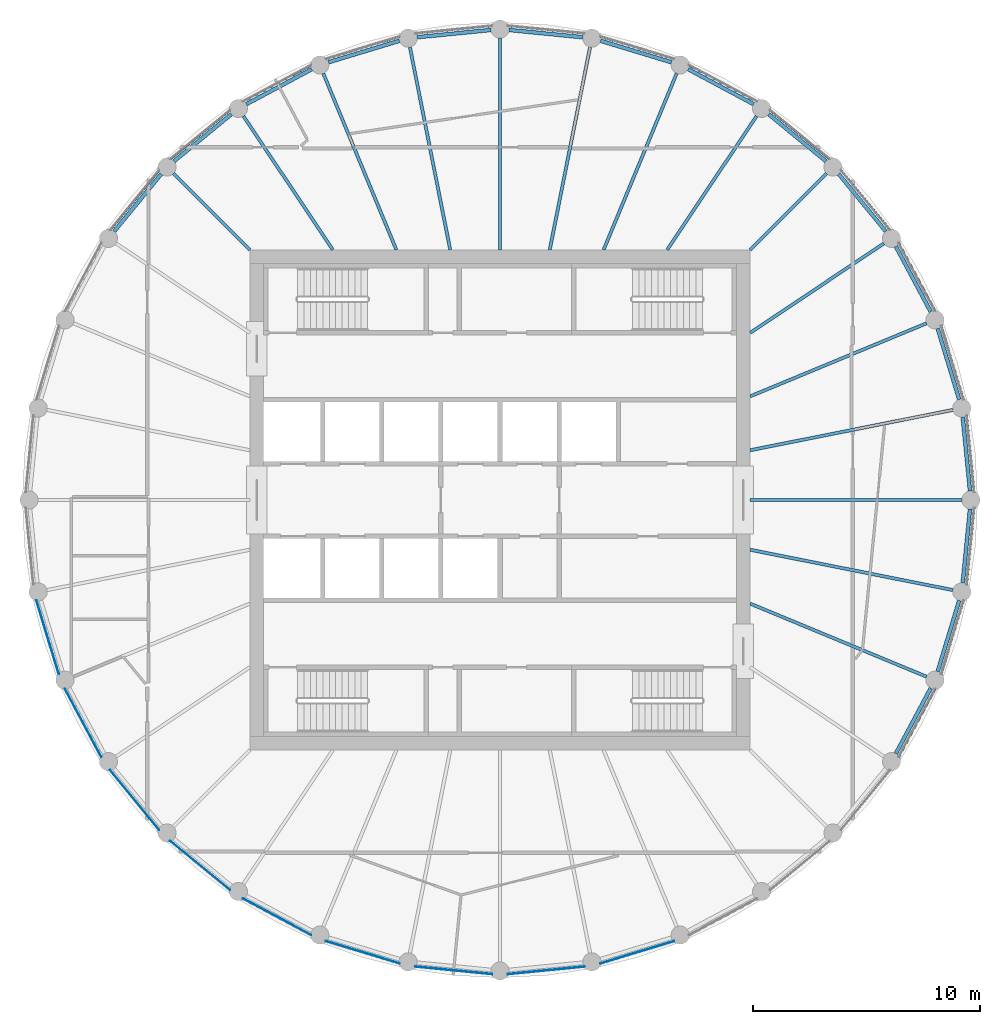
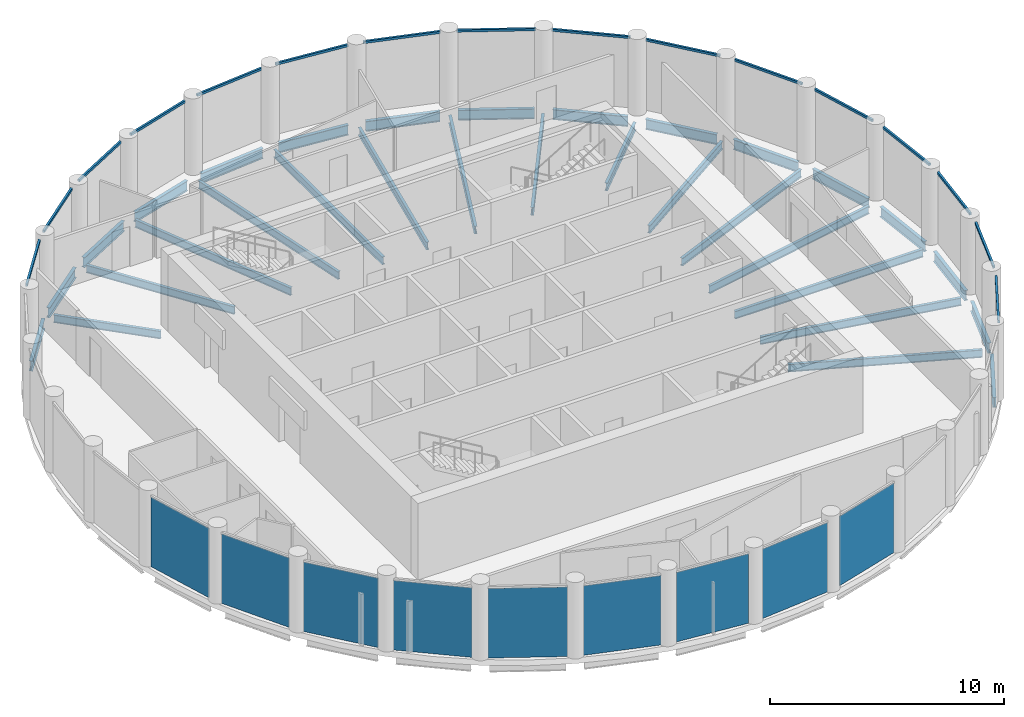
# One storey, part 2 of 7: 31 beams, 16 members, 9 plates, 25 elements without a shape of their own.
"""IFC4 building model written with IfcOpenShell, lengths in metres."""

from ifc_helpers import new_model, si_unit, direction, frame, origin, origin_2d, place, context, subcontext, project, spatial, rectangle, i_section, extrude, material, layer, layer_set, material_profile, profile_set, type_object, element, aggregate, save


model = new_model("IFC4")

# Units and contexts
model_context = context("Model", 3, precision=1e-05, world=origin(), true_north=direction((0.0, 1.0)))
body_context = subcontext(model_context, "Body", "Model", "MODEL_VIEW")
ifc_project = project(units=[si_unit("LENGTHUNIT", "METRE"), si_unit("AREAUNIT", "SQUARE_METRE"), si_unit("VOLUMEUNIT", "CUBIC_METRE"), si_unit("PLANEANGLEUNIT", "RADIAN"), si_unit("MASSUNIT", "GRAM", prefix="KILO")], contexts=[model_context])

# Site, building, storey
site_placement = place(None, origin())
site = spatial("IfcSite", under=ifc_project, at=site_placement, CompositionType="ELEMENT")
building_placement = place(site_placement, origin())
building = spatial("IfcBuilding", under=site, at=building_placement, Name="Corvane Civic Tower", CompositionType="ELEMENT")
storey_placement = place(building_placement, frame((0.0, 0.0, 348.5)))
storey = spatial("IfcBuildingStorey", under=building, at=storey_placement, Name="L83", CompositionType="ELEMENT", Elevation=348.5)

# Beams
ifc_material_1 = material(Name="Steel ASTM A992 Gr 50", Category="steel")
ifc_material_profile_1 = material_profile(ifc_material_1, i_section(OverallWidth=0.165771484375, OverallDepth=0.5283203125, WebThickness=0.009765625, FlangeThickness=0.013671875, at=origin_2d()), Name="W21X50")
ifc_profile_set_1 = profile_set([ifc_material_profile_1], Name="Steel ASTM A992 Gr 50")
beam_type_1 = type_object("IfcBeamType", Name="EDGE BEAM W21X50", PredefinedType="BEAM", material=ifc_profile_set_1)
beam_1_placement = place(storey_placement, frame((0.39794921875, 20.66064453125, -0.564208984375), z_axis=(0.995192503142, -0.097938152369, 0.0), x_axis=(0.097938152369, 0.995192503142, 0.0)))
element("IfcBeam", 1, at=beam_1_placement, inside=storey, type_object=beam_type_1, Name="BM-L83-E01", PredefinedType="BEAM", context=body_context, shape_type="SweptSolid", body=[
    extrude(i_section(OverallWidth=0.165771484375, OverallDepth=0.5283203125, WebThickness=0.009765625, FlangeThickness=0.013671875, at=origin_2d()), origin(), (0.0, 0.0, 1.0), 3.258056640625),
])
for number, where, z_axis, x_axis, name in (
    (2, (4.421142578125, 20.18603515625, -0.564208984375), (0.956955679349, -0.290234091317, 0.0), (0.290234091317, 0.956955679349, 0.0), "BM-L83-E02"),
    (3, (8.2744140625, 18.935791015625, -0.564208984375), (0.881894065907, -0.471447618, 0.0), (0.471447618, 0.881894065907, 0.0), "BM-L83-E03"),
    (4, (11.8095703125, 16.957763671875, -0.564208984375), (0.772984791903, -0.634424551454, 0.0), (0.634424551454, 0.772984791903, 0.0), "BM-L83-E04"),
    (5, (14.890869140625, 14.327880859375, -0.564208984375), (0.634424551454, -0.772984791903, 0.0), (0.772984791903, 0.634424551454, 0.0), "BM-L83-E05"),
    (6, (17.39990234375, 11.1474609375, -0.564208984375), (0.471447618, -0.881894065907, 0.0), (0.881894065907, 0.471447618, 0.0), "BM-L83-E06"),
    (7, (19.240478515625, 7.538818359375, -0.564208984375), (0.290234091317, -0.956955679349, 0.0), (0.956955679349, 0.290234091317, 0.0), "BM-L83-E07"),
):
    element("IfcBeam", number, at=place(storey_placement, frame(where, z_axis=z_axis, x_axis=x_axis)), inside=storey, type_object=beam_type_1, Name=name, PredefinedType="BEAM", context=body_context, shape_type="SweptSolid", body=[
        extrude(i_section(OverallWidth=0.165771484375, OverallDepth=0.5283203125, WebThickness=0.009765625, FlangeThickness=0.013671875, at=origin_2d()), origin(), (0.0, 0.0, 1.0), 3.2578125),
    ])
for number, where, z_axis, x_axis, name in (
    (8, (20.341552734375, 3.640380859375, -0.564208984375), (0.097938152369, -0.995192503142, 0.0), (0.995192503142, 0.097938152369, 0.0), "BM-L83-E08"),
    (9, (20.66064453125, -0.39794921875, -0.564208984375), (-0.097938152369, -0.995192503142, 0.0), (0.995192503142, -0.097938152369, 0.0), "BM-L83-E09"),
):
    element("IfcBeam", number, at=place(storey_placement, frame(where, z_axis=z_axis, x_axis=x_axis)), inside=storey, type_object=beam_type_1, Name=name, PredefinedType="BEAM", context=body_context, shape_type="SweptSolid", body=[
        extrude(i_section(OverallWidth=0.165771484375, OverallDepth=0.5283203125, WebThickness=0.009765625, FlangeThickness=0.013671875, at=origin_2d()), origin(), (0.0, 0.0, 1.0), 3.258056640625),
    ])
for number, where, z_axis, x_axis, name in (
    (10, (20.18603515625, -4.421142578125, -0.564208984375), (-0.290234091317, -0.956955679349, 0.0), (0.956955679349, -0.290234091317, 0.0), "BM-L83-E10"),
    (11, (18.935791015625, -8.2744140625, -0.564208984375), (-0.471447618, -0.881894065907, 0.0), (0.881894065907, -0.471447618, 0.0), "BM-L83-E11"),
    (12, (-16.957763671875, 11.8095703125, -0.564208984375), (0.634424551454, 0.772984791903, 0.0), (-0.772984791903, 0.634424551454, 0.0), "BM-L83-E28"),
    (13, (-14.327880859375, 14.890869140625, -0.564208984375), (0.772984791903, 0.634424551454, 0.0), (-0.634424551454, 0.772984791903, 0.0), "BM-L83-E29"),
    (14, (-11.1474609375, 17.39990234375, -0.564208984375), (0.881894065907, 0.471447618, 0.0), (-0.471447618, 0.881894065907, 0.0), "BM-L83-E30"),
    (15, (-7.538818359375, 19.240478515625, -0.564208984375), (0.956955679349, 0.290234091317, 0.0), (-0.290234091317, 0.956955679349, 0.0), "BM-L83-E31"),
):
    element("IfcBeam", number, at=place(storey_placement, frame(where, z_axis=z_axis, x_axis=x_axis)), inside=storey, type_object=beam_type_1, Name=name, PredefinedType="BEAM", context=body_context, shape_type="SweptSolid", body=[
        extrude(i_section(OverallWidth=0.165771484375, OverallDepth=0.5283203125, WebThickness=0.009765625, FlangeThickness=0.013671875, at=origin_2d()), origin(), (0.0, 0.0, 1.0), 3.2578125),
    ])
beam_2_placement = place(storey_placement, frame((-3.640380859375, 20.341552734375, -0.564208984375), z_axis=(0.995192503142, 0.097938152369, 0.0), x_axis=(-0.097938152369, 0.995192503142, 0.0)))
element("IfcBeam", 16, at=beam_2_placement, inside=storey, type_object=beam_type_1, Name="BM-L83-E32", PredefinedType="BEAM", context=body_context, shape_type="SweptSolid", body=[
    extrude(i_section(OverallWidth=0.165771484375, OverallDepth=0.5283203125, WebThickness=0.009765625, FlangeThickness=0.013671875, at=origin_2d()), origin(), (0.0, 0.0, 1.0), 3.258056640625),
])
ifc_material_2 = material(Name="Steel ASTM A992 Gr 50", Category="steel")
ifc_material_profile_2 = material_profile(ifc_material_2, i_section(OverallWidth=0.140380859375, OverallDepth=0.40380859375, WebThickness=0.007080078125, FlangeThickness=0.01123046875, at=origin_2d()), Name="W16X31")
ifc_profile_set_2 = profile_set([ifc_material_profile_2], Name="Steel ASTM A992 Gr 50")
beam_type_2 = type_object("IfcBeamType", Name="FLOOR GIRDER W16X31", PredefinedType="BEAM", material=ifc_profile_set_2)
beam_3_placement = place(storey_placement, frame((0.0, 11.0, -0.501953125), z_axis=(0.0, 1.0, 0.0), x_axis=(-1.0, 0.0, 0.0)))
element("IfcBeam", 17, at=beam_3_placement, inside=storey, type_object=beam_type_2, Name="BM-L83-G01", PredefinedType="BEAM", context=body_context, shape_type="SweptSolid", body=[
    extrude(i_section(OverallWidth=0.140380859375, OverallDepth=0.40380859375, WebThickness=0.007080078125, FlangeThickness=0.01123046875, at=origin_2d()), origin(), (0.0, 0.0, 1.0), 9.300048828125),
])
beam_4_placement = place(storey_placement, frame((2.18798828125, 11.0, -0.501953125), z_axis=(0.195108241061, 0.980781715913, 0.0), x_axis=(-0.980781715913, 0.195108241061, 0.0)))
element("IfcBeam", 18, at=beam_4_placement, inside=storey, type_object=beam_type_2, Name="BM-L83-G02", PredefinedType="BEAM", context=body_context, shape_type="SweptSolid", body=[
    extrude(i_section(OverallWidth=0.140380859375, OverallDepth=0.40380859375, WebThickness=0.007080078125, FlangeThickness=0.01123046875, at=origin_2d()), origin(), (0.0, 0.0, 1.0), 9.08447265625),
])
beam_5_placement = place(storey_placement, frame((4.556396484375, 11.0, -0.501953125), z_axis=(0.382691739894, 0.923876091377, 0.0), x_axis=(-0.923876091377, 0.382691739894, 0.0)))
element("IfcBeam", 19, at=beam_5_placement, inside=storey, type_object=beam_type_2, Name="BM-L83-G03", PredefinedType="BEAM", context=body_context, shape_type="SweptSolid", body=[
    extrude(i_section(OverallWidth=0.140380859375, OverallDepth=0.40380859375, WebThickness=0.007080078125, FlangeThickness=0.01123046875, at=origin_2d()), origin(), (0.0, 0.0, 1.0), 8.3935546875),
])
beam_6_placement = place(storey_placement, frame((7.349853515625, 11.0, -0.501953125), z_axis=(0.555576401385, 0.831465490699, 0.0), x_axis=(-0.831465490699, 0.555576401385, 0.0)))
element("IfcBeam", 20, at=beam_6_placement, inside=storey, type_object=beam_type_2, Name="BM-L83-G04", PredefinedType="BEAM", context=body_context, shape_type="SweptSolid", body=[
    extrude(i_section(OverallWidth=0.140380859375, OverallDepth=0.40380859375, WebThickness=0.007080078125, FlangeThickness=0.01123046875, at=origin_2d()), origin(), (0.0, 0.0, 1.0), 7.070556640625),
])
beam_7_placement = place(storey_placement, frame((11.0, 11.0, -0.501953125), z_axis=(0.707106781187, 0.707106781187, 0.0), x_axis=(-0.707106781187, 0.707106781187, 0.0)))
element("IfcBeam", 21, at=beam_7_placement, inside=storey, type_object=beam_type_2, Name="BM-L83-G05", PredefinedType="BEAM", context=body_context, shape_type="SweptSolid", body=[
    extrude(i_section(OverallWidth=0.140380859375, OverallDepth=0.40380859375, WebThickness=0.007080078125, FlangeThickness=0.01123046875, at=origin_2d()), origin(), (0.0, 0.0, 1.0), 4.74365234375),
])
beam_8_placement = place(storey_placement, frame((11.0, 7.349853515625, -0.501953125), z_axis=(0.831465490699, 0.555576401385, 0.0), x_axis=(-0.555576401385, 0.831465490699, 0.0)))
element("IfcBeam", 22, at=beam_8_placement, inside=storey, type_object=beam_type_2, Name="BM-L83-G06", PredefinedType="BEAM", context=body_context, shape_type="SweptSolid", body=[
    extrude(i_section(OverallWidth=0.140380859375, OverallDepth=0.40380859375, WebThickness=0.007080078125, FlangeThickness=0.01123046875, at=origin_2d()), origin(), (0.0, 0.0, 1.0), 7.070556640625),
])
beam_9_placement = place(storey_placement, frame((11.0, 4.556396484375, -0.501953125), z_axis=(0.923876091377, 0.382691739894, 0.0), x_axis=(-0.382691739894, 0.923876091377, 0.0)))
element("IfcBeam", 23, at=beam_9_placement, inside=storey, type_object=beam_type_2, Name="BM-L83-G07", PredefinedType="BEAM", context=body_context, shape_type="SweptSolid", body=[
    extrude(i_section(OverallWidth=0.140380859375, OverallDepth=0.40380859375, WebThickness=0.007080078125, FlangeThickness=0.01123046875, at=origin_2d()), origin(), (0.0, 0.0, 1.0), 8.3935546875),
])
beam_10_placement = place(storey_placement, frame((11.0, 2.18798828125, -0.501953125), z_axis=(0.980781715913, 0.195108241061, 0.0), x_axis=(-0.195108241061, 0.980781715913, 0.0)))
element("IfcBeam", 24, at=beam_10_placement, inside=storey, type_object=beam_type_2, Name="BM-L83-G08", PredefinedType="BEAM", context=body_context, shape_type="SweptSolid", body=[
    extrude(i_section(OverallWidth=0.140380859375, OverallDepth=0.40380859375, WebThickness=0.007080078125, FlangeThickness=0.01123046875, at=origin_2d()), origin(), (0.0, 0.0, 1.0), 9.08447265625),
])
beam_11_placement = place(storey_placement, frame((11.0, 0.0, -0.501953125), z_axis=(1.0, 0.0, 0.0), x_axis=(0.0, 1.0, 0.0)))
element("IfcBeam", 25, at=beam_11_placement, inside=storey, type_object=beam_type_2, Name="BM-L83-G09", PredefinedType="BEAM", context=body_context, shape_type="SweptSolid", body=[
    extrude(i_section(OverallWidth=0.140380859375, OverallDepth=0.40380859375, WebThickness=0.007080078125, FlangeThickness=0.01123046875, at=origin_2d()), origin(), (0.0, 0.0, 1.0), 9.300048828125),
])
beam_12_placement = place(storey_placement, frame((11.0, -2.18798828125, -0.501953125), z_axis=(0.980781715913, -0.195108241061, 0.0), x_axis=(0.195108241061, 0.980781715913, 0.0)))
element("IfcBeam", 26, at=beam_12_placement, inside=storey, type_object=beam_type_2, Name="BM-L83-G10", PredefinedType="BEAM", context=body_context, shape_type="SweptSolid", body=[
    extrude(i_section(OverallWidth=0.140380859375, OverallDepth=0.40380859375, WebThickness=0.007080078125, FlangeThickness=0.01123046875, at=origin_2d()), origin(), (0.0, 0.0, 1.0), 9.08447265625),
])
beam_13_placement = place(storey_placement, frame((11.0, -4.556396484375, -0.501953125), z_axis=(0.923876091377, -0.382691739894, 0.0), x_axis=(0.382691739894, 0.923876091377, 0.0)))
element("IfcBeam", 27, at=beam_13_placement, inside=storey, type_object=beam_type_2, Name="BM-L83-G11", PredefinedType="BEAM", context=body_context, shape_type="SweptSolid", body=[
    extrude(i_section(OverallWidth=0.140380859375, OverallDepth=0.40380859375, WebThickness=0.007080078125, FlangeThickness=0.01123046875, at=origin_2d()), origin(), (0.0, 0.0, 1.0), 8.3935546875),
])
beam_14_placement = place(storey_placement, frame((-11.0, 11.0, -0.501953125), z_axis=(-0.707106781187, 0.707106781187, 0.0), x_axis=(-0.707106781187, -0.707106781187, 0.0)))
element("IfcBeam", 28, at=beam_14_placement, inside=storey, type_object=beam_type_2, Name="BM-L83-G29", PredefinedType="BEAM", context=body_context, shape_type="SweptSolid", body=[
    extrude(i_section(OverallWidth=0.140380859375, OverallDepth=0.40380859375, WebThickness=0.007080078125, FlangeThickness=0.01123046875, at=origin_2d()), origin(), (0.0, 0.0, 1.0), 4.74365234375),
])
beam_15_placement = place(storey_placement, frame((-7.349853515625, 11.0, -0.501953125), z_axis=(-0.555576401385, 0.831465490699, 0.0), x_axis=(-0.831465490699, -0.555576401385, 0.0)))
element("IfcBeam", 29, at=beam_15_placement, inside=storey, type_object=beam_type_2, Name="BM-L83-G30", PredefinedType="BEAM", context=body_context, shape_type="SweptSolid", body=[
    extrude(i_section(OverallWidth=0.140380859375, OverallDepth=0.40380859375, WebThickness=0.007080078125, FlangeThickness=0.01123046875, at=origin_2d()), origin(), (0.0, 0.0, 1.0), 7.070556640625),
])
beam_16_placement = place(storey_placement, frame((-4.556396484375, 11.0, -0.501953125), z_axis=(-0.382691739894, 0.923876091377, 0.0), x_axis=(-0.923876091377, -0.382691739894, 0.0)))
element("IfcBeam", 30, at=beam_16_placement, inside=storey, type_object=beam_type_2, Name="BM-L83-G31", PredefinedType="BEAM", context=body_context, shape_type="SweptSolid", body=[
    extrude(i_section(OverallWidth=0.140380859375, OverallDepth=0.40380859375, WebThickness=0.007080078125, FlangeThickness=0.01123046875, at=origin_2d()), origin(), (0.0, 0.0, 1.0), 8.3935546875),
])
beam_17_placement = place(storey_placement, frame((-2.18798828125, 11.0, -0.501953125), z_axis=(-0.195108241061, 0.980781715913, 0.0), x_axis=(-0.980781715913, -0.195108241061, 0.0)))
element("IfcBeam", 31, at=beam_17_placement, inside=storey, type_object=beam_type_2, Name="BM-L83-G32", PredefinedType="BEAM", context=body_context, shape_type="SweptSolid", body=[
    extrude(i_section(OverallWidth=0.140380859375, OverallDepth=0.40380859375, WebThickness=0.007080078125, FlangeThickness=0.01123046875, at=origin_2d()), origin(), (0.0, 0.0, 1.0), 9.08447265625),
])

# Curtain wall, member
ifc_material_3 = material(Name="Anodised aluminium bronze", Category="aluminium")
curtain_wall_type = type_object("IfcCurtainWallType", Name="TOWER CW-T3 STICK CURTAIN WALL", PredefinedType="NOTDEFINED", material=ifc_material_3)
curtain_wall_1_placement = place(storey_placement, origin())
curtain_wall_1 = element("IfcCurtainWall", 32, at=curtain_wall_1_placement, inside=storey, type_object=curtain_wall_type, Name="Curtain wall CW-T3 L83 bay 01", PredefinedType="NOTDEFINED")
ifc_material_4 = material(Name="Anodised aluminium bronze", Category="aluminium")
ifc_material_profile_3 = material_profile(ifc_material_4, rectangle(XDim=0.10009765625, YDim=0.1201171875, at=origin_2d()), Name="TOWER CW-T3 TRANSOM 100x120")
ifc_profile_set_3 = profile_set([ifc_material_profile_3], Name="Anodised aluminium bronze")
member_type = type_object("IfcMemberType", Name="TOWER CW-T3 TRANSOM 100x120", PredefinedType="USERDEFINED", material=ifc_profile_set_3)
member_1_placement = place(storey_placement, frame((0.34375, 20.845947265625, 3.68994140625), z_axis=(0.995191564676, -0.097947688066, 0.0), x_axis=(0.097947688066, 0.995191564676, 0.0)))
member_1 = element("IfcMember", 33, at=member_1_placement, type_object=member_type, Name="Transom CW-T3 L83 01.1", ObjectType="TRANSOM", PredefinedType="USERDEFINED", context=body_context, shape_type="SweptSolid", body=[
    extrude(rectangle(XDim=0.10009765625, YDim=0.1201171875, at=origin_2d()), origin(), (0.0, 0.0, 1.0), 3.40234375),
])
aggregate(curtain_wall_1, [member_1])

curtain_wall_2_placement = place(storey_placement, origin())
curtain_wall_2 = element("IfcCurtainWall", 34, at=curtain_wall_2_placement, inside=storey, type_object=curtain_wall_type, Name="Curtain wall CW-T3 L83 bay 02", PredefinedType="NOTDEFINED")
member_2_placement = place(storey_placement, frame((4.40380859375, 20.37841796875, 3.68994140625), z_axis=(0.956961022204, -0.290216474345, 0.0), x_axis=(0.290216474345, 0.956961022204, 0.0)))
member_2 = element("IfcMember", 35, at=member_2_placement, type_object=member_type, Name="Transom CW-T3 L83 02.1", ObjectType="TRANSOM", PredefinedType="USERDEFINED", context=body_context, shape_type="SweptSolid", body=[
    extrude(rectangle(XDim=0.10009765625, YDim=0.1201171875, at=origin_2d()), origin(), (0.0, 0.0, 1.0), 3.40283203125),
])
aggregate(curtain_wall_2, [member_2])

curtain_wall_3_placement = place(storey_placement, origin())
curtain_wall_3 = element("IfcCurtainWall", 36, at=curtain_wall_3_placement, inside=storey, type_object=curtain_wall_type, Name="Curtain wall CW-T3 L83 bay 03", PredefinedType="NOTDEFINED")
member_3_placement = place(storey_placement, frame((8.294921875, 19.127685546875, 3.68994140625), z_axis=(0.881941440444, -0.471358988063, 0.0), x_axis=(0.471358988063, 0.881941440444, 0.0)))
member_3 = element("IfcMember", 37, at=member_3_placement, type_object=member_type, Name="Transom CW-T3 L83 03.1", ObjectType="TRANSOM", PredefinedType="USERDEFINED", context=body_context, shape_type="SweptSolid", body=[
    extrude(rectangle(XDim=0.10009765625, YDim=0.1201171875, at=origin_2d()), origin(), (0.0, 0.0, 1.0), 3.40234375),
])
aggregate(curtain_wall_3, [member_3])

curtain_wall_4_placement = place(storey_placement, origin())
curtain_wall_4 = element("IfcCurtainWall", 38, at=curtain_wall_4_placement, inside=storey, type_object=curtain_wall_type, Name="Curtain wall CW-T3 L83 bay 04", PredefinedType="NOTDEFINED")
member_4_placement = place(storey_placement, frame((11.8671875, 17.14208984375, 3.68994140625), z_axis=(0.773010217358, -0.634393571736, 0.0), x_axis=(0.634393571736, 0.773010217358, 0.0)))
member_4 = element("IfcMember", 39, at=member_4_placement, type_object=member_type, Name="Transom CW-T3 L83 04.1", ObjectType="TRANSOM", PredefinedType="USERDEFINED", context=body_context, shape_type="SweptSolid", body=[
    extrude(rectangle(XDim=0.10009765625, YDim=0.1201171875, at=origin_2d()), origin(), (0.0, 0.0, 1.0), 3.40283203125),
])
aggregate(curtain_wall_4, [member_4])

curtain_wall_5_placement = place(storey_placement, origin())
curtain_wall_5 = element("IfcCurtainWall", 40, at=curtain_wall_5_placement, inside=storey, type_object=curtain_wall_type, Name="Curtain wall CW-T3 L83 bay 05", PredefinedType="NOTDEFINED")
member_5_placement = place(storey_placement, frame((14.9833984375, 14.49755859375, 3.68994140625), z_axis=(0.634393571736, -0.773010217358, 0.0), x_axis=(0.773010217358, 0.634393571736, 0.0)))
member_5 = element("IfcMember", 41, at=member_5_placement, type_object=member_type, Name="Transom CW-T3 L83 05.1", ObjectType="TRANSOM", PredefinedType="USERDEFINED", context=body_context, shape_type="SweptSolid", body=[
    extrude(rectangle(XDim=0.10009765625, YDim=0.1201171875, at=origin_2d()), origin(), (0.0, 0.0, 1.0), 3.40283203125),
])
aggregate(curtain_wall_5, [member_5])

curtain_wall_6_placement = place(storey_placement, origin())
curtain_wall_6 = element("IfcCurtainWall", 42, at=curtain_wall_6_placement, inside=storey, type_object=curtain_wall_type, Name="Curtain wall CW-T3 L83 bay 06", PredefinedType="NOTDEFINED")
member_6_placement = place(storey_placement, frame((17.52392578125, 11.295654296875, 3.68994140625), z_axis=(0.471358988063, -0.881941440444, 0.0), x_axis=(0.881941440444, 0.471358988063, 0.0)))
member_6 = element("IfcMember", 43, at=member_6_placement, type_object=member_type, Name="Transom CW-T3 L83 06.1", ObjectType="TRANSOM", PredefinedType="USERDEFINED", context=body_context, shape_type="SweptSolid", body=[
    extrude(rectangle(XDim=0.10009765625, YDim=0.1201171875, at=origin_2d()), origin(), (0.0, 0.0, 1.0), 3.40234375),
])
aggregate(curtain_wall_6, [member_6])

curtain_wall_7_placement = place(storey_placement, origin())
curtain_wall_7 = element("IfcCurtainWall", 44, at=curtain_wall_7_placement, inside=storey, type_object=curtain_wall_type, Name="Curtain wall CW-T3 L83 bay 07", PredefinedType="NOTDEFINED")
member_7_placement = place(storey_placement, frame((19.390869140625, 7.66015625, 3.68994140625), z_axis=(0.290216474345, -0.956961022204, 0.0), x_axis=(0.956961022204, 0.290216474345, 0.0)))
member_7 = element("IfcMember", 45, at=member_7_placement, type_object=member_type, Name="Transom CW-T3 L83 07.1", ObjectType="TRANSOM", PredefinedType="USERDEFINED", context=body_context, shape_type="SweptSolid", body=[
    extrude(rectangle(XDim=0.10009765625, YDim=0.1201171875, at=origin_2d()), origin(), (0.0, 0.0, 1.0), 3.40283203125),
])
aggregate(curtain_wall_7, [member_7])

curtain_wall_8_placement = place(storey_placement, origin())
curtain_wall_8 = element("IfcCurtainWall", 46, at=curtain_wall_8_placement, inside=storey, type_object=curtain_wall_type, Name="Curtain wall CW-T3 L83 bay 08", PredefinedType="NOTDEFINED")
member_8_placement = place(storey_placement, frame((20.5126953125, 3.729736328125, 3.68994140625), z_axis=(0.097947688066, -0.995191564676, 0.0), x_axis=(0.995191564676, 0.097947688066, 0.0)))
member_8 = element("IfcMember", 47, at=member_8_placement, type_object=member_type, Name="Transom CW-T3 L83 08.1", ObjectType="TRANSOM", PredefinedType="USERDEFINED", context=body_context, shape_type="SweptSolid", body=[
    extrude(rectangle(XDim=0.10009765625, YDim=0.1201171875, at=origin_2d()), origin(), (0.0, 0.0, 1.0), 3.40234375),
])
aggregate(curtain_wall_8, [member_8])

curtain_wall_9_placement = place(storey_placement, origin())
curtain_wall_9 = element("IfcCurtainWall", 48, at=curtain_wall_9_placement, inside=storey, type_object=curtain_wall_type, Name="Curtain wall CW-T3 L83 bay 09", PredefinedType="NOTDEFINED")
member_9_placement = place(storey_placement, frame((20.845947265625, -0.34375, 3.68994140625), z_axis=(-0.097947688066, -0.995191564676, 0.0), x_axis=(0.995191564676, -0.097947688066, 0.0)))
member_9 = element("IfcMember", 49, at=member_9_placement, type_object=member_type, Name="Transom CW-T3 L83 09.1", ObjectType="TRANSOM", PredefinedType="USERDEFINED", context=body_context, shape_type="SweptSolid", body=[
    extrude(rectangle(XDim=0.10009765625, YDim=0.1201171875, at=origin_2d()), origin(), (0.0, 0.0, 1.0), 3.40234375),
])
aggregate(curtain_wall_9, [member_9])

curtain_wall_10_placement = place(storey_placement, origin())
curtain_wall_10 = element("IfcCurtainWall", 50, at=curtain_wall_10_placement, inside=storey, type_object=curtain_wall_type, Name="Curtain wall CW-T3 L83 bay 10", PredefinedType="NOTDEFINED")
member_10_placement = place(storey_placement, frame((20.37841796875, -4.40380859375, 3.68994140625), z_axis=(-0.290216474345, -0.956961022204, 0.0), x_axis=(0.956961022204, -0.290216474345, 0.0)))
member_10 = element("IfcMember", 51, at=member_10_placement, type_object=member_type, Name="Transom CW-T3 L83 10.1", ObjectType="TRANSOM", PredefinedType="USERDEFINED", context=body_context, shape_type="SweptSolid", body=[
    extrude(rectangle(XDim=0.10009765625, YDim=0.1201171875, at=origin_2d()), origin(), (0.0, 0.0, 1.0), 3.40283203125),
])
aggregate(curtain_wall_10, [member_10])

curtain_wall_11_placement = place(storey_placement, origin())
curtain_wall_11 = element("IfcCurtainWall", 52, at=curtain_wall_11_placement, inside=storey, type_object=curtain_wall_type, Name="Curtain wall CW-T3 L83 bay 11", PredefinedType="NOTDEFINED")
member_11_placement = place(storey_placement, frame((19.127685546875, -8.294921875, 3.68994140625), z_axis=(-0.471358988063, -0.881941440444, 0.0), x_axis=(0.881941440444, -0.471358988063, 0.0)))
member_11 = element("IfcMember", 53, at=member_11_placement, type_object=member_type, Name="Transom CW-T3 L83 11.1", ObjectType="TRANSOM", PredefinedType="USERDEFINED", context=body_context, shape_type="SweptSolid", body=[
    extrude(rectangle(XDim=0.10009765625, YDim=0.1201171875, at=origin_2d()), origin(), (0.0, 0.0, 1.0), 3.40234375),
])
aggregate(curtain_wall_11, [member_11])

curtain_wall_12_placement = place(storey_placement, origin())
curtain_wall_12 = element("IfcCurtainWall", 54, at=curtain_wall_12_placement, inside=storey, type_object=curtain_wall_type, Name="Curtain wall CW-T3 L83 bay 28", PredefinedType="NOTDEFINED")
member_12_placement = place(storey_placement, frame((-17.14208984375, 11.8671875, 3.68994140625), z_axis=(0.634393571736, 0.773010217358, 0.0), x_axis=(-0.773010217358, 0.634393571736, 0.0)))
member_12 = element("IfcMember", 55, at=member_12_placement, type_object=member_type, Name="Transom CW-T3 L83 28.1", ObjectType="TRANSOM", PredefinedType="USERDEFINED", context=body_context, shape_type="SweptSolid", body=[
    extrude(rectangle(XDim=0.10009765625, YDim=0.1201171875, at=origin_2d()), origin(), (0.0, 0.0, 1.0), 3.40283203125),
])
aggregate(curtain_wall_12, [member_12])

curtain_wall_13_placement = place(storey_placement, origin())
curtain_wall_13 = element("IfcCurtainWall", 56, at=curtain_wall_13_placement, inside=storey, type_object=curtain_wall_type, Name="Curtain wall CW-T3 L83 bay 29", PredefinedType="NOTDEFINED")
member_13_placement = place(storey_placement, frame((-14.49755859375, 14.9833984375, 3.68994140625), z_axis=(0.773010217358, 0.634393571736, 0.0), x_axis=(-0.634393571736, 0.773010217358, 0.0)))
member_13 = element("IfcMember", 57, at=member_13_placement, type_object=member_type, Name="Transom CW-T3 L83 29.1", ObjectType="TRANSOM", PredefinedType="USERDEFINED", context=body_context, shape_type="SweptSolid", body=[
    extrude(rectangle(XDim=0.10009765625, YDim=0.1201171875, at=origin_2d()), origin(), (0.0, 0.0, 1.0), 3.40283203125),
])
aggregate(curtain_wall_13, [member_13])

curtain_wall_14_placement = place(storey_placement, origin())
curtain_wall_14 = element("IfcCurtainWall", 58, at=curtain_wall_14_placement, inside=storey, type_object=curtain_wall_type, Name="Curtain wall CW-T3 L83 bay 30", PredefinedType="NOTDEFINED")
member_14_placement = place(storey_placement, frame((-11.295654296875, 17.52392578125, 3.68994140625), z_axis=(0.881941440444, 0.471358988063, 0.0), x_axis=(-0.471358988063, 0.881941440444, 0.0)))
member_14 = element("IfcMember", 59, at=member_14_placement, type_object=member_type, Name="Transom CW-T3 L83 30.1", ObjectType="TRANSOM", PredefinedType="USERDEFINED", context=body_context, shape_type="SweptSolid", body=[
    extrude(rectangle(XDim=0.10009765625, YDim=0.1201171875, at=origin_2d()), origin(), (0.0, 0.0, 1.0), 3.40234375),
])
aggregate(curtain_wall_14, [member_14])

curtain_wall_15_placement = place(storey_placement, origin())
curtain_wall_15 = element("IfcCurtainWall", 60, at=curtain_wall_15_placement, inside=storey, type_object=curtain_wall_type, Name="Curtain wall CW-T3 L83 bay 31", PredefinedType="NOTDEFINED")
member_15_placement = place(storey_placement, frame((-7.66015625, 19.390869140625, 3.68994140625), z_axis=(0.956961022204, 0.290216474345, 0.0), x_axis=(-0.290216474345, 0.956961022204, 0.0)))
member_15 = element("IfcMember", 61, at=member_15_placement, type_object=member_type, Name="Transom CW-T3 L83 31.1", ObjectType="TRANSOM", PredefinedType="USERDEFINED", context=body_context, shape_type="SweptSolid", body=[
    extrude(rectangle(XDim=0.10009765625, YDim=0.1201171875, at=origin_2d()), origin(), (0.0, 0.0, 1.0), 3.40283203125),
])
aggregate(curtain_wall_15, [member_15])

curtain_wall_16_placement = place(storey_placement, origin())
curtain_wall_16 = element("IfcCurtainWall", 62, at=curtain_wall_16_placement, inside=storey, type_object=curtain_wall_type, Name="Curtain wall CW-T3 L83 bay 32", PredefinedType="NOTDEFINED")
member_16_placement = place(storey_placement, frame((-3.729736328125, 20.5126953125, 3.68994140625), z_axis=(0.995191564676, 0.097947688066, 0.0), x_axis=(-0.097947688066, 0.995191564676, 0.0)))
member_16 = element("IfcMember", 63, at=member_16_placement, type_object=member_type, Name="Transom CW-T3 L83 32.1", ObjectType="TRANSOM", PredefinedType="USERDEFINED", context=body_context, shape_type="SweptSolid", body=[
    extrude(rectangle(XDim=0.10009765625, YDim=0.1201171875, at=origin_2d()), origin(), (0.0, 0.0, 1.0), 3.40234375),
])
aggregate(curtain_wall_16, [member_16])

# Curtain wall, plate
curtain_wall_17_placement = place(storey_placement, origin())
curtain_wall_17 = element("IfcCurtainWall", 64, at=curtain_wall_17_placement, inside=storey, type_object=curtain_wall_type, Name="Curtain wall CW-T3 L83 bay 15", PredefinedType="NOTDEFINED")
ifc_material_5 = material(Name="Tinted glass", Category="glass")
ifc_layer = layer(ifc_material_5, 0.028076171875)
ifc_layer_set = layer_set([ifc_layer], Name="Tinted glass")
plate_type = type_object("IfcPlateType", Name="TOWER CW-T3 PANEL IGU28", PredefinedType="CURTAIN_PANEL", material=ifc_layer_set)
plate_1_placement = place(storey_placement, frame((6.031982421875, -19.884765625, 0.0), z_axis=(0.0, 0.0, 1.0), x_axis=(-0.956938582641, -0.290290456359, 0.0)))
plate_1 = element("IfcPlate", 65, at=plate_1_placement, type_object=plate_type, Name="Glass panel CW-T3 L83 15.1", PredefinedType="CURTAIN_PANEL", context=body_context, shape_type="SweptSolid", body=[
    extrude(rectangle(XDim=3.40283203125, YDim=0.028076171875, at=origin_2d()), origin(), (0.0, 0.0, 1.0), 3.6298828125),
])
aggregate(curtain_wall_17, [plate_1])

curtain_wall_18_placement = place(storey_placement, origin())
curtain_wall_18 = element("IfcCurtainWall", 66, at=curtain_wall_18_placement, inside=storey, type_object=curtain_wall_type, Name="Curtain wall CW-T3 L83 bay 16", PredefinedType="NOTDEFINED")
plate_2_placement = place(storey_placement, frame((2.03662109375, -20.679443359375, 0.0), z_axis=(0.0, 0.0, 1.0), x_axis=(-0.995186641028, -0.097997701601, 0.0)))
plate_2 = element("IfcPlate", 67, at=plate_2_placement, type_object=plate_type, Name="Glass panel CW-T3 L83 16.1", PredefinedType="CURTAIN_PANEL", context=body_context, shape_type="SweptSolid", body=[
    extrude(rectangle(XDim=3.402587890625, YDim=0.028076171875, at=origin_2d()), origin(), (0.0, 0.0, 1.0), 3.6298828125),
])
aggregate(curtain_wall_18, [plate_2])

curtain_wall_19_placement = place(storey_placement, origin())
curtain_wall_19 = element("IfcCurtainWall", 68, at=curtain_wall_19_placement, inside=storey, type_object=curtain_wall_type, Name="Curtain wall CW-T3 L83 bay 17", PredefinedType="NOTDEFINED")
plate_3_placement = place(storey_placement, frame((-2.03662109375, -20.679443359375, 0.0), z_axis=(0.0, 0.0, 1.0), x_axis=(-0.995186641028, 0.097997701601, 0.0)))
plate_3 = element("IfcPlate", 69, at=plate_3_placement, type_object=plate_type, Name="Glass panel CW-T3 L83 17.1", PredefinedType="CURTAIN_PANEL", context=body_context, shape_type="SweptSolid", body=[
    extrude(rectangle(XDim=3.402587890625, YDim=0.028076171875, at=origin_2d()), origin(), (0.0, 0.0, 1.0), 3.6298828125),
])
aggregate(curtain_wall_19, [plate_3])

curtain_wall_20_placement = place(storey_placement, origin())
curtain_wall_20 = element("IfcCurtainWall", 70, at=curtain_wall_20_placement, inside=storey, type_object=curtain_wall_type, Name="Curtain wall CW-T3 L83 bay 18", PredefinedType="NOTDEFINED")
plate_4_placement = place(storey_placement, frame((-6.031982421875, -19.884765625, 0.0), z_axis=(0.0, 0.0, 1.0), x_axis=(-0.956938582641, 0.290290456359, 0.0)))
plate_4 = element("IfcPlate", 71, at=plate_4_placement, type_object=plate_type, Name="Glass panel CW-T3 L83 18.1", PredefinedType="CURTAIN_PANEL", context=body_context, shape_type="SweptSolid", body=[
    extrude(rectangle(XDim=3.40283203125, YDim=0.028076171875, at=origin_2d()), origin(), (0.0, 0.0, 1.0), 3.6298828125),
])
aggregate(curtain_wall_20, [plate_4])

curtain_wall_21_placement = place(storey_placement, origin())
curtain_wall_21 = element("IfcCurtainWall", 72, at=curtain_wall_21_placement, inside=storey, type_object=curtain_wall_type, Name="Curtain wall CW-T3 L83 bay 19", PredefinedType="NOTDEFINED")
plate_5_placement = place(storey_placement, frame((-9.79541015625, -18.325927734375, 0.0), z_axis=(0.0, 0.0, 1.0), x_axis=(-0.88192824848, 0.471383670202, 0.0)))
plate_5 = element("IfcPlate", 73, at=plate_5_placement, type_object=plate_type, Name="Glass panel CW-T3 L83 19.1", PredefinedType="CURTAIN_PANEL", context=body_context, shape_type="SweptSolid", body=[
    extrude(rectangle(XDim=3.40234375, YDim=0.028076171875, at=origin_2d()), origin(), (0.0, 0.0, 1.0), 3.6298828125),
])
aggregate(curtain_wall_21, [plate_5])

curtain_wall_22_placement = place(storey_placement, origin())
curtain_wall_22 = element("IfcCurtainWall", 74, at=curtain_wall_22_placement, inside=storey, type_object=curtain_wall_type, Name="Curtain wall CW-T3 L83 bay 20", PredefinedType="NOTDEFINED")
plate_6_placement = place(storey_placement, frame((-13.182373046875, -16.062744140625, 0.0), z_axis=(0.0, 0.0, 1.0), x_axis=(-0.773010369391, 0.634393386484, 0.0)))
plate_6 = element("IfcPlate", 75, at=plate_6_placement, type_object=plate_type, Name="Glass panel CW-T3 L83 20.1", PredefinedType="CURTAIN_PANEL", context=body_context, shape_type="SweptSolid", body=[
    extrude(rectangle(XDim=3.402587890625, YDim=0.028076171875, at=origin_2d()), origin(), (0.0, 0.0, 1.0), 3.6298828125),
])
aggregate(curtain_wall_22, [plate_6])

curtain_wall_23_placement = place(storey_placement, origin())
curtain_wall_23 = element("IfcCurtainWall", 76, at=curtain_wall_23_placement, inside=storey, type_object=curtain_wall_type, Name="Curtain wall CW-T3 L83 bay 21", PredefinedType="NOTDEFINED")
plate_7_placement = place(storey_placement, frame((-16.062744140625, -13.182373046875, 0.0), z_axis=(0.0, 0.0, 1.0), x_axis=(-0.634393386484, 0.773010369391, 0.0)))
plate_7 = element("IfcPlate", 77, at=plate_7_placement, type_object=plate_type, Name="Glass panel CW-T3 L83 21.1", PredefinedType="CURTAIN_PANEL", context=body_context, shape_type="SweptSolid", body=[
    extrude(rectangle(XDim=3.402587890625, YDim=0.028076171875, at=origin_2d()), origin(), (0.0, 0.0, 1.0), 3.6298828125),
])
aggregate(curtain_wall_23, [plate_7])

curtain_wall_24_placement = place(storey_placement, origin())
curtain_wall_24 = element("IfcCurtainWall", 78, at=curtain_wall_24_placement, inside=storey, type_object=curtain_wall_type, Name="Curtain wall CW-T3 L83 bay 22", PredefinedType="NOTDEFINED")
plate_8_placement = place(storey_placement, frame((-18.325927734375, -9.79541015625, 0.0), z_axis=(0.0, 0.0, 1.0), x_axis=(-0.471383670202, 0.88192824848, 0.0)))
plate_8 = element("IfcPlate", 79, at=plate_8_placement, type_object=plate_type, Name="Glass panel CW-T3 L83 22.1", PredefinedType="CURTAIN_PANEL", context=body_context, shape_type="SweptSolid", body=[
    extrude(rectangle(XDim=3.40234375, YDim=0.028076171875, at=origin_2d()), origin(), (0.0, 0.0, 1.0), 3.6298828125),
])
aggregate(curtain_wall_24, [plate_8])

curtain_wall_25_placement = place(storey_placement, origin())
curtain_wall_25 = element("IfcCurtainWall", 80, at=curtain_wall_25_placement, inside=storey, type_object=curtain_wall_type, Name="Curtain wall CW-T3 L83 bay 23", PredefinedType="NOTDEFINED")
plate_9_placement = place(storey_placement, frame((-19.884765625, -6.031982421875, 0.0), z_axis=(0.0, 0.0, 1.0), x_axis=(-0.290290456359, 0.956938582641, 0.0)))
plate_9 = element("IfcPlate", 81, at=plate_9_placement, type_object=plate_type, Name="Glass panel CW-T3 L83 23.1", PredefinedType="CURTAIN_PANEL", context=body_context, shape_type="SweptSolid", body=[
    extrude(rectangle(XDim=3.40283203125, YDim=0.028076171875, at=origin_2d()), origin(), (0.0, 0.0, 1.0), 3.6298828125),
])
aggregate(curtain_wall_25, [plate_9])

save(model, "model.ifc")
